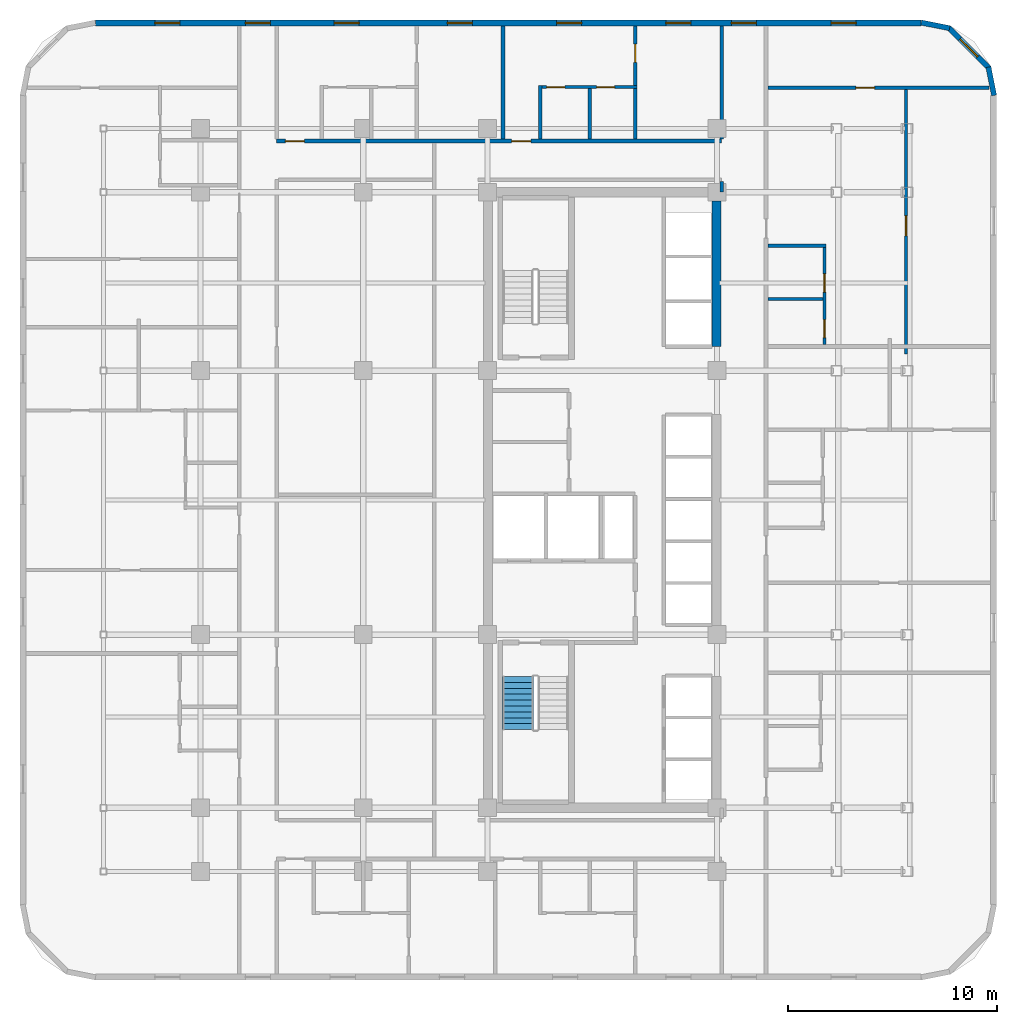
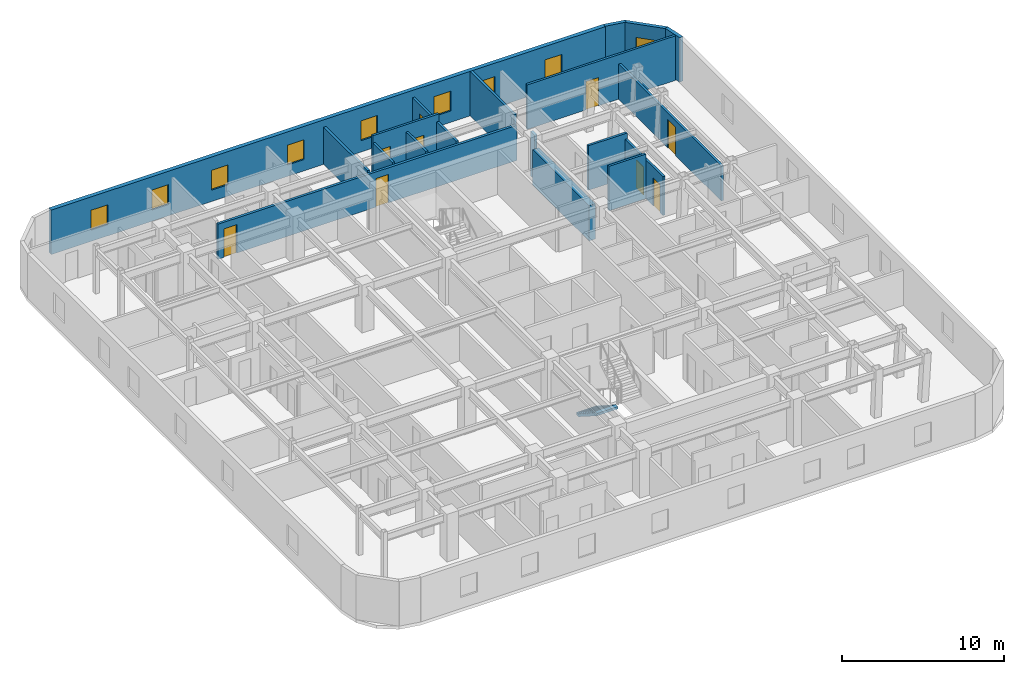
# One storey, part 10 of 12: 18 walls, 9 doors, 9 windows, 1 stair flight, 18 openings, 1 element without a shape of its own.
"""IFC4 building model written with IfcOpenShell, lengths in metres."""

from ifc_helpers import new_model, si_unit, direction, frame, frame_2d, origin, place, context, subcontext, project, spatial, polyline, rectangle, outline, extrude, material, layer, layer_set, type_object, element, fill, aggregate, save


model = new_model("IFC4")

# Units and contexts
model_context = context("Model", 3, precision=1e-05, world=origin(), true_north=direction((0.0, 1.0)))
body_context = subcontext(model_context, "Body", "Model", "MODEL_VIEW")
ifc_project = project(units=[si_unit("LENGTHUNIT", "METRE"), si_unit("AREAUNIT", "SQUARE_METRE"), si_unit("VOLUMEUNIT", "CUBIC_METRE"), si_unit("PLANEANGLEUNIT", "RADIAN"), si_unit("MASSUNIT", "GRAM", prefix="KILO")], contexts=[model_context])

# Site, building, storey
site_placement = place(None, origin())
site = spatial("IfcSite", under=ifc_project, at=site_placement, CompositionType="ELEMENT")
building_placement = place(site_placement, origin())
building = spatial("IfcBuilding", under=site, at=building_placement, Name="Ochreholt Gables", CompositionType="ELEMENT")
storey_placement = place(building_placement, frame((0.0, 0.0, 27.60009765625)))
storey = spatial("IfcBuildingStorey", under=building, at=storey_placement, Name="L06", CompositionType="ELEMENT", Elevation=27.60009765625)

# Wall
ifc_material_1 = material(Name="Concrete 60 MPa", Category="concrete")
ifc_layer_1 = layer(ifc_material_1, 0.449951171875, Name="Concrete 60 MPa")
ifc_layer_set_1 = layer_set([ifc_layer_1], Name="Concrete 60 MPa")
wall_type_1 = type_object("IfcWallType", Name="WALL-CSW-450", PredefinedType="SHEAR", material=ifc_layer_set_1)
wall_1_placement = place(storey_placement, frame((35.175048828125, 31.35009765625, 0.0), z_axis=(0.0, 0.0, 1.0), x_axis=(0.0, 1.0, 0.0)))
element("IfcWall", 1, at=wall_1_placement, inside=storey, type_object=wall_type_1, Name="L06 Core North-East Shear Wall", PredefinedType="SHEAR", context=body_context, shape_type="SweptSolid", body=[
    extrude(rectangle(XDim=6.974853515625, YDim=0.449951171875, at=frame_2d((3.4873046875, 0.0))), origin(), (0.0, 0.0, 1.0), 2.6669921875),
])

# Wall, openings, windows
ifc_material_2 = material(Name="Precast concrete 40 MPa", Category="concrete")
ifc_layer_2 = layer(ifc_material_2, 0.2900390625, Name="Precast concrete 40 MPa")
ifc_layer_set_2 = layer_set([ifc_layer_2], Name="Precast concrete 40 MPa")
wall_type_2 = type_object("IfcWallType", Name="WALL-EXT-290", PredefinedType="SOLIDWALL", material=ifc_layer_set_2)
wall_2_placement = place(storey_placement, frame((44.97998046875, 46.85498046875, 0.0), z_axis=(0.0, 0.0, 1.0), x_axis=(-1.0, 0.0, 0.0)))
wall_2 = element("IfcWall", 2, at=wall_2_placement, inside=storey, type_object=wall_type_2, Name="L06 North Exterior Wall", PredefinedType="SOLIDWALL", context=body_context, shape_type="SweptSolid", body=[
    extrude(rectangle(XDim=39.56005859375, YDim=0.2900390625, at=frame_2d((19.780029296875, 0.0))), origin(), (0.0, 0.0, 1.0), 3.35986328125),
])
opening_1_placement = place(wall_2_placement, frame((35.52001953125, 0.0, 0.85009765625)))
opening_1 = element("IfcOpeningElement", 3, at=opening_1_placement, cuts=wall_2, Name="Opening WN-3", PredefinedType="OPENING", context=body_context, shape_type="SweptSolid", body=[
    extrude(rectangle(XDim=1.199951171875, YDim=1.5, at=frame_2d((0.60009765625, 0.75))), frame((0.0, 0.155029296875, 0.0), z_axis=(0.0, -1.0, 0.0), x_axis=(1.0, 0.0, 0.0)), (0.0, 0.0, 1.0), 0.31005859375),
])
opening_2_placement = place(wall_2_placement, frame((31.179931640625, 0.0, 0.85009765625)))
opening_2 = element("IfcOpeningElement", 4, at=opening_2_placement, cuts=wall_2, Name="Opening WN-3", PredefinedType="OPENING", context=body_context, shape_type="SweptSolid", body=[
    extrude(rectangle(XDim=1.199951171875, YDim=1.5, at=frame_2d((0.60009765625, 0.75))), frame((0.0, 0.155029296875, 0.0), z_axis=(0.0, -1.0, 0.0), x_axis=(1.0, 0.0, 0.0)), (0.0, 0.0, 1.0), 0.31005859375),
])
opening_3_placement = place(wall_2_placement, frame((26.92529296875, 0.0, 0.85009765625)))
opening_3 = element("IfcOpeningElement", 5, at=opening_3_placement, cuts=wall_2, Name="Opening WN-3", PredefinedType="OPENING", context=body_context, shape_type="SweptSolid", body=[
    extrude(rectangle(XDim=1.199951171875, YDim=1.5, at=frame_2d((0.60009765625, 0.75))), frame((0.0, 0.155029296875, 0.0), z_axis=(0.0, -1.0, 0.0), x_axis=(1.0, 0.0, 0.0)), (0.0, 0.0, 1.0), 0.31005859375),
])
opening_4_placement = place(wall_2_placement, frame((21.50048828125, 0.0, 0.85009765625)))
opening_4 = element("IfcOpeningElement", 6, at=opening_4_placement, cuts=wall_2, Name="Opening WN-3", PredefinedType="OPENING", context=body_context, shape_type="SweptSolid", body=[
    extrude(rectangle(XDim=1.199951171875, YDim=1.5, at=frame_2d((0.60009765625, 0.75))), frame((0.0, 0.155029296875, 0.0), z_axis=(0.0, -1.0, 0.0), x_axis=(1.0, 0.0, 0.0)), (0.0, 0.0, 1.0), 0.31005859375),
])
opening_5_placement = place(wall_2_placement, frame((16.26513671875, 0.0, 0.85009765625)))
opening_5 = element("IfcOpeningElement", 7, at=opening_5_placement, cuts=wall_2, Name="Opening WN-3", PredefinedType="OPENING", context=body_context, shape_type="SweptSolid", body=[
    extrude(rectangle(XDim=1.199951171875, YDim=1.5, at=frame_2d((0.60009765625, 0.75))), frame((0.0, 0.155029296875, 0.0), z_axis=(0.0, -1.0, 0.0), x_axis=(1.0, 0.0, 0.0)), (0.0, 0.0, 1.0), 0.31005859375),
])
opening_6_placement = place(wall_2_placement, frame((11.030029296875, 0.0, 0.85009765625)))
opening_6 = element("IfcOpeningElement", 8, at=opening_6_placement, cuts=wall_2, Name="Opening WN-3", PredefinedType="OPENING", context=body_context, shape_type="SweptSolid", body=[
    extrude(rectangle(XDim=1.199951171875, YDim=1.5, at=frame_2d((0.60009765625, 0.75))), frame((0.0, 0.155029296875, 0.0), z_axis=(0.0, -1.0, 0.0), x_axis=(1.0, 0.0, 0.0)), (0.0, 0.0, 1.0), 0.31005859375),
])
opening_7_placement = place(wall_2_placement, frame((7.89501953125, 0.0, 0.85009765625)))
opening_7 = element("IfcOpeningElement", 9, at=opening_7_placement, cuts=wall_2, Name="Opening WN-3", PredefinedType="OPENING", context=body_context, shape_type="SweptSolid", body=[
    extrude(rectangle(XDim=1.199951171875, YDim=1.5, at=frame_2d((0.60009765625, 0.75))), frame((0.0, 0.155029296875, 0.0), z_axis=(0.0, -1.0, 0.0), x_axis=(1.0, 0.0, 0.0)), (0.0, 0.0, 1.0), 0.31005859375),
])
opening_8_placement = place(wall_2_placement, frame((3.114990234375, 0.0, 0.85009765625)))
opening_8 = element("IfcOpeningElement", 10, at=opening_8_placement, cuts=wall_2, Name="Opening WN-3", PredefinedType="OPENING", context=body_context, shape_type="SweptSolid", body=[
    extrude(rectangle(XDim=1.199951171875, YDim=1.5, at=frame_2d((0.60009765625, 0.75))), frame((0.0, 0.155029296875, 0.0), z_axis=(0.0, -1.0, 0.0), x_axis=(1.0, 0.0, 0.0)), (0.0, 0.0, 1.0), 0.31005859375),
])
ifc_material_3 = material(Name="Triple-Glazed Thermally Broken Aluminium Window", Category="aluminium")
window_type = type_object("IfcWindowType", Name="WIN-RES-1200", PartitioningType="SINGLE_PANEL", PredefinedType="WINDOW", material=ifc_material_3)
window_1_placement = place(opening_1_placement, origin())
window_1 = element("IfcWindow", 11, at=window_1_placement, inside=storey, type_object=window_type, Name="L06 Window W-EXT-N-L06-1", OverallHeight=1.5, OverallWidth=1.199951171875, PartitioningType="SINGLE_PANEL", PredefinedType="WINDOW", context=body_context, shape_type="SweptSolid", body=[
    extrude(rectangle(XDim=1.199951171875, YDim=1.5, at=frame_2d((0.60009765625, 0.75))), frame((0.0, 0.030029296875, 0.0), z_axis=(0.0, -1.0, 0.0), x_axis=(1.0, 0.0, 0.0)), (0.0, 0.0, 1.0), 0.06005859375),
])
fill(opening_1, window_1)
window_2_placement = place(opening_2_placement, origin())
window_2 = element("IfcWindow", 12, at=window_2_placement, inside=storey, type_object=window_type, Name="L06 Window W-EXT-N-L06-2", OverallHeight=1.5, OverallWidth=1.199951171875, PartitioningType="SINGLE_PANEL", PredefinedType="WINDOW", context=body_context, shape_type="SweptSolid", body=[
    extrude(rectangle(XDim=1.199951171875, YDim=1.5, at=frame_2d((0.60009765625, 0.75))), frame((0.0, 0.030029296875, 0.0), z_axis=(0.0, -1.0, 0.0), x_axis=(1.0, 0.0, 0.0)), (0.0, 0.0, 1.0), 0.06005859375),
])
fill(opening_2, window_2)
window_3_placement = place(opening_3_placement, origin())
window_3 = element("IfcWindow", 13, at=window_3_placement, inside=storey, type_object=window_type, Name="L06 Window W-EXT-N-L06-3", OverallHeight=1.5, OverallWidth=1.199951171875, PartitioningType="SINGLE_PANEL", PredefinedType="WINDOW", context=body_context, shape_type="SweptSolid", body=[
    extrude(rectangle(XDim=1.199951171875, YDim=1.5, at=frame_2d((0.60009765625, 0.75))), frame((0.0, 0.030029296875, 0.0), z_axis=(0.0, -1.0, 0.0), x_axis=(1.0, 0.0, 0.0)), (0.0, 0.0, 1.0), 0.06005859375),
])
fill(opening_3, window_3)
window_4_placement = place(opening_4_placement, origin())
window_4 = element("IfcWindow", 14, at=window_4_placement, inside=storey, type_object=window_type, Name="L06 Window W-EXT-N-L06-4", OverallHeight=1.5, OverallWidth=1.199951171875, PartitioningType="SINGLE_PANEL", PredefinedType="WINDOW", context=body_context, shape_type="SweptSolid", body=[
    extrude(rectangle(XDim=1.199951171875, YDim=1.5, at=frame_2d((0.60009765625, 0.75))), frame((0.0, 0.030029296875, 0.0), z_axis=(0.0, -1.0, 0.0), x_axis=(1.0, 0.0, 0.0)), (0.0, 0.0, 1.0), 0.06005859375),
])
fill(opening_4, window_4)
window_5_placement = place(opening_5_placement, origin())
window_5 = element("IfcWindow", 15, at=window_5_placement, inside=storey, type_object=window_type, Name="L06 Window W-EXT-N-L06-5", OverallHeight=1.5, OverallWidth=1.199951171875, PartitioningType="SINGLE_PANEL", PredefinedType="WINDOW", context=body_context, shape_type="SweptSolid", body=[
    extrude(rectangle(XDim=1.199951171875, YDim=1.5, at=frame_2d((0.60009765625, 0.75))), frame((0.0, 0.030029296875, 0.0), z_axis=(0.0, -1.0, 0.0), x_axis=(1.0, 0.0, 0.0)), (0.0, 0.0, 1.0), 0.06005859375),
])
fill(opening_5, window_5)
window_6_placement = place(opening_6_placement, origin())
window_6 = element("IfcWindow", 16, at=window_6_placement, inside=storey, type_object=window_type, Name="L06 Window W-EXT-N-L06-6", OverallHeight=1.5, OverallWidth=1.199951171875, PartitioningType="SINGLE_PANEL", PredefinedType="WINDOW", context=body_context, shape_type="SweptSolid", body=[
    extrude(rectangle(XDim=1.199951171875, YDim=1.5, at=frame_2d((0.60009765625, 0.75))), frame((0.0, 0.030029296875, 0.0), z_axis=(0.0, -1.0, 0.0), x_axis=(1.0, 0.0, 0.0)), (0.0, 0.0, 1.0), 0.06005859375),
])
fill(opening_6, window_6)
window_7_placement = place(opening_7_placement, origin())
window_7 = element("IfcWindow", 17, at=window_7_placement, inside=storey, type_object=window_type, Name="L06 Window W-EXT-N-L06-7", OverallHeight=1.5, OverallWidth=1.199951171875, PartitioningType="SINGLE_PANEL", PredefinedType="WINDOW", context=body_context, shape_type="SweptSolid", body=[
    extrude(rectangle(XDim=1.199951171875, YDim=1.5, at=frame_2d((0.60009765625, 0.75))), frame((0.0, 0.030029296875, 0.0), z_axis=(0.0, -1.0, 0.0), x_axis=(1.0, 0.0, 0.0)), (0.0, 0.0, 1.0), 0.06005859375),
])
fill(opening_7, window_7)
window_8_placement = place(opening_8_placement, origin())
window_8 = element("IfcWindow", 18, at=window_8_placement, inside=storey, type_object=window_type, Name="L06 Window W-EXT-N-L06-8", OverallHeight=1.5, OverallWidth=1.199951171875, PartitioningType="SINGLE_PANEL", PredefinedType="WINDOW", context=body_context, shape_type="SweptSolid", body=[
    extrude(rectangle(XDim=1.199951171875, YDim=1.5, at=frame_2d((0.60009765625, 0.75))), frame((0.0, 0.030029296875, 0.0), z_axis=(0.0, -1.0, 0.0), x_axis=(1.0, 0.0, 0.0)), (0.0, 0.0, 1.0), 0.06005859375),
])
fill(opening_8, window_8)

# Wall
ifc_layer_3 = layer(ifc_material_2, 0.25, Name="Precast concrete 40 MPa")
ifc_layer_set_3 = layer_set([ifc_layer_3], Name="Precast concrete 40 MPa")
wall_type_3 = type_object("IfcWallType", Name="WALL-EXT-CNR", PredefinedType="SOLIDWALL", material=ifc_layer_set_3)
wall_3_placement = place(storey_placement, frame((48.475830078125, 43.383544921875, 0.0), z_axis=(0.0, 0.0, 1.0), x_axis=(-0.19496651342, 0.980809899341, 0.0)))
element("IfcWall", 19, at=wall_3_placement, inside=storey, type_object=wall_type_3, Name="L06 Rounded Corner Wall NE-1", PredefinedType="SOLIDWALL", context=body_context, shape_type="SweptSolid", body=[
    extrude(rectangle(XDim=1.388671875, YDim=0.25, at=frame_2d((0.6943359375, 0.0))), origin(), (0.0, 0.0, 1.0), 3.35986328125),
])

# Wall, opening, window
wall_4_placement = place(storey_placement, frame((48.23193359375, 44.695068359375, 0.0), z_axis=(0.0, 0.0, 1.0), x_axis=(-0.707106781187, 0.707106781187, 0.0)))
wall_4 = element("IfcWall", 20, at=wall_4_placement, inside=storey, type_object=wall_type_3, Name="L06 Rounded Corner Wall NE-2", PredefinedType="SOLIDWALL", context=body_context, shape_type="SweptSolid", body=[
    extrude(rectangle(XDim=2.7392578125, YDim=0.25, at=frame_2d((1.36962890625, 0.0))), origin(), (0.0, 0.0, 1.0), 3.35986328125),
])
opening_9_placement = place(wall_4_placement, frame((0.769775390625, 0.0, 0.85009765625)))
opening_9 = element("IfcOpeningElement", 21, at=opening_9_placement, cuts=wall_4, Name="Opening WN-3", PredefinedType="OPENING", context=body_context, shape_type="SweptSolid", body=[
    extrude(rectangle(XDim=1.199951171875, YDim=1.5, at=frame_2d((0.60009765625, 0.75))), frame((0.0, 0.135009765625, 0.0), z_axis=(0.0, -1.0, 0.0), x_axis=(1.0, 0.0, 0.0)), (0.0, 0.0, 1.0), 0.27001953125),
])
window_9_placement = place(opening_9_placement, origin())
window_9 = element("IfcWindow", 22, at=window_9_placement, inside=storey, type_object=window_type, Name="L06 Corner Bedroom Window NE", OverallHeight=1.5, OverallWidth=1.199951171875, PartitioningType="SINGLE_PANEL", PredefinedType="WINDOW", context=body_context, shape_type="SweptSolid", body=[
    extrude(rectangle(XDim=1.199951171875, YDim=1.5, at=frame_2d((0.60009765625, 0.75))), frame((0.0, 0.030029296875, 0.0), z_axis=(0.0, -1.0, 0.0), x_axis=(1.0, 0.0, 0.0)), (0.0, 0.0, 1.0), 0.06005859375),
])
fill(opening_9, window_9)

# Wall
wall_5_placement = place(storey_placement, frame((46.345458984375, 46.60498046875, 0.0), z_axis=(0.0, 0.0, 1.0), x_axis=(-0.980809899341, 0.19496651342, 0.0)))
element("IfcWall", 23, at=wall_5_placement, inside=storey, type_object=wall_type_3, Name="L06 Rounded Corner Wall NE-3", PredefinedType="SOLIDWALL", context=body_context, shape_type="SweptSolid", body=[
    extrude(rectangle(XDim=1.388671875, YDim=0.25, at=frame_2d((0.6943359375, 0.0))), origin(), (0.0, 0.0, 1.0), 3.35986328125),
])

# Wall, openings, doors
ifc_material_4 = material(Name="Fire-Rated Gypsum Acoustic Partition", Category="gypsum")
ifc_layer_4 = layer(ifc_material_4, 0.179931640625, Name="Fire-Rated Gypsum Acoustic Partition")
ifc_layer_set_4 = layer_set([ifc_layer_4], Name="Fire-Rated Gypsum Acoustic Partition")
wall_type_4 = type_object("IfcWallType", Name="WALL-INT-CR180", PredefinedType="STANDARD", material=ifc_layer_set_4)
wall_6_placement = place(storey_placement, frame((14.10009765625, 41.199951171875, 0.0), z_axis=(0.0, 0.0, 1.0), x_axis=(1.0, 0.0, 0.0)))
wall_6 = element("IfcWall", 24, at=wall_6_placement, inside=storey, type_object=wall_type_4, Name="L06 Interior Wall WI-C1N-L06", PredefinedType="STANDARD", context=body_context, shape_type="SweptSolid", body=[
    extrude(rectangle(XDim=21.31982421875, YDim=0.179931640625, at=frame_2d((10.659912109375, 0.0))), origin(), (0.0, 0.0, 1.0), 2.64892578125),
])
opening_10_placement = place(wall_6_placement, frame((0.409912109375, 0.0, 0.0)))
opening_10 = element("IfcOpeningElement", 25, at=opening_10_placement, cuts=wall_6, Name="Opening D-UN1", PredefinedType="OPENING", context=body_context, shape_type="SweptSolid", body=[
    extrude(rectangle(XDim=0.919921875, YDim=2.14990234375, at=frame_2d((0.4599609375, 1.074951171875))), frame((0.0, 0.099853515625, 0.0), z_axis=(0.0, -1.0, 0.0), x_axis=(1.0, 0.0, 0.0)), (0.0, 0.0, 1.0), 0.199951171875),
])
opening_11_placement = place(wall_6_placement, frame((11.259521484375, 0.0, 0.0)))
opening_11 = element("IfcOpeningElement", 26, at=opening_11_placement, cuts=wall_6, Name="Opening D-UN1", PredefinedType="OPENING", context=body_context, shape_type="SweptSolid", body=[
    extrude(rectangle(XDim=0.919921875, YDim=2.14990234375, at=frame_2d((0.4599609375, 1.074951171875))), frame((0.0, 0.099853515625, 0.0), z_axis=(0.0, -1.0, 0.0), x_axis=(1.0, 0.0, 0.0)), (0.0, 0.0, 1.0), 0.199951171875),
])
ifc_material_5 = material(Name="Engineered Oak Timber", Category="wood")
door_type_1 = type_object("IfcDoorType", Name="DR-INT-UNT920", OperationType="NOTDEFINED", PredefinedType="DOOR", material=ifc_material_5)
door_1_placement = place(opening_10_placement, origin())
door_1 = element("IfcDoor", 27, at=door_1_placement, inside=storey, type_object=door_type_1, Name="L06 Door D-U-L06N1-ENT", OperationType="SINGLE_SWING_LEFT", OverallHeight=2.14990234375, OverallWidth=0.919921875, PredefinedType="DOOR", context=body_context, shape_type="SweptSolid", body=[
    extrude(rectangle(XDim=0.919921875, YDim=2.14990234375, at=frame_2d((0.4599609375, 1.074951171875))), frame((0.0, 0.02490234375, 0.0), z_axis=(0.0, -1.0, 0.0), x_axis=(1.0, 0.0, 0.0)), (0.0, 0.0, 1.0), 0.050048828125),
])
fill(opening_10, door_1)
door_2_placement = place(opening_11_placement, origin())
door_2 = element("IfcDoor", 28, at=door_2_placement, inside=storey, type_object=door_type_1, Name="L06 Door D-U-L06N2-ENT", OperationType="SINGLE_SWING_LEFT", OverallHeight=2.14990234375, OverallWidth=0.919921875, PredefinedType="DOOR", context=body_context, shape_type="SweptSolid", body=[
    extrude(rectangle(XDim=0.919921875, YDim=2.14990234375, at=frame_2d((0.4599609375, 1.074951171875))), frame((0.0, 0.02490234375, 0.0), z_axis=(0.0, -1.0, 0.0), x_axis=(1.0, 0.0, 0.0)), (0.0, 0.0, 1.0), 0.050048828125),
])
fill(opening_11, door_2)

# Walls
wall_7_placement = place(storey_placement, frame((35.419921875, 38.75, 0.0), z_axis=(0.0, 0.0, 1.0), x_axis=(0.0, 1.0, 0.0)))
element("IfcWall", 29, at=wall_7_placement, inside=storey, type_object=wall_type_4, Name="L06 Interior Wall WI-C1ENW2-L06", PredefinedType="STANDARD", context=body_context, shape_type="SweptSolid", body=[
    extrude(rectangle(XDim=0.510009765625, YDim=0.179931640625, at=frame_2d((0.2548828125, 0.0))), origin(), (0.0, 0.0, 1.0), 3.35986328125),
])
ifc_material_6 = material(Name="Double-Stud Acoustic Demising Wall", Category="gypsum")
ifc_layer_5 = layer(ifc_material_6, 0.179931640625, Name="Double-Stud Acoustic Demising Wall")
ifc_layer_set_5 = layer_set([ifc_layer_5], Name="Double-Stud Acoustic Demising Wall")
wall_type_5 = type_object("IfcWallType", Name="WALL-INT-DM180", PredefinedType="PARTITIONING", material=ifc_layer_set_5)
wall_8_placement = place(storey_placement, frame((35.419921875, 41.2900390625, 0.0), z_axis=(0.0, 0.0, 1.0), x_axis=(0.0, 1.0, 0.0)))
element("IfcWall", 30, at=wall_8_placement, inside=storey, type_object=wall_type_5, Name="L06 Interior Wall WI-C1ENW-L06", PredefinedType="PARTITIONING", context=body_context, shape_type="SweptSolid", body=[
    extrude(rectangle(XDim=5.419921875, YDim=0.179931640625, at=frame_2d((2.7099609375, 0.0))), origin(), (0.0, 0.0, 1.0), 3.35986328125),
])
wall_9_placement = place(storey_placement, frame((24.94970703125, 41.2900390625, 0.0), z_axis=(0.0, 0.0, 1.0), x_axis=(0.0, 1.0, 0.0)))
element("IfcWall", 31, at=wall_9_placement, inside=storey, type_object=wall_type_5, Name="L06 Interior Wall WI-UDN-L06", PredefinedType="PARTITIONING", context=body_context, shape_type="SweptSolid", body=[
    extrude(rectangle(XDim=5.419921875, YDim=0.179931640625, at=frame_2d((2.7099609375, 0.0))), origin(), (0.0, 0.0, 1.0), 2.808837890625),
])
ifc_material_7 = material(Name="Moisture-Resistant Plumbing Chase Wall", Category="gypsum")
ifc_layer_6 = layer(ifc_material_7, 0.159912109375, Name="Moisture-Resistant Plumbing Chase Wall")
ifc_layer_set_6 = layer_set([ifc_layer_6], Name="Moisture-Resistant Plumbing Chase Wall")
wall_type_6 = type_object("IfcWallType", Name="WALL-INT-PL160", PredefinedType="PLUMBINGWALL", material=ifc_layer_set_6)
wall_10_placement = place(storey_placement, frame((37.639892578125, 36.185546875, 0.0), z_axis=(0.0, 0.0, 1.0), x_axis=(1.0, 0.0, 0.0)))
element("IfcWall", 32, at=wall_10_placement, inside=storey, type_object=wall_type_6, Name="L06 Interior Wall WU-L06E3-FYN", PredefinedType="PLUMBINGWALL", context=body_context, shape_type="SweptSolid", body=[
    extrude(rectangle(XDim=2.7880859375, YDim=0.159912109375, at=frame_2d((1.39404296875, 0.0))), origin(), (0.0, 0.0, 1.0), 3.35986328125),
])

# Wall, openings, doors
wall_11_placement = place(storey_placement, frame((40.347900390625, 31.449951171875, 0.0), z_axis=(0.0, 0.0, 1.0), x_axis=(0.0, 1.0, 0.0)))
wall_11 = element("IfcWall", 33, at=wall_11_placement, inside=storey, type_object=wall_type_6, Name="L06 Interior Wall WU-L06E3-WX", PredefinedType="PLUMBINGWALL", context=body_context, shape_type="SweptSolid", body=[
    extrude(rectangle(XDim=4.825439453125, YDim=0.159912109375, at=frame_2d((2.41259765625, 0.0))), origin(), (0.0, 0.0, 1.0), 2.931884765625),
])
opening_12_placement = place(wall_11_placement, frame((0.330078125, 0.0, 0.0)))
opening_12 = element("IfcOpeningElement", 34, at=opening_12_placement, cuts=wall_11, Name="Opening D-BT1", PredefinedType="OPENING", context=body_context, shape_type="SweptSolid", body=[
    extrude(rectangle(XDim=0.860107421875, YDim=2.1201171875, at=frame_2d((0.43017578125, 1.06005859375))), frame((0.0, 0.08984375, 0.0), z_axis=(0.0, -1.0, 0.0), x_axis=(1.0, 0.0, 0.0)), (0.0, 0.0, 1.0), 0.179931640625),
])
opening_13_placement = place(wall_11_placement, frame((2.50830078125, 0.0, 0.0)))
opening_13 = element("IfcOpeningElement", 35, at=opening_13_placement, cuts=wall_11, Name="Opening D-GN2", PredefinedType="OPENING", context=body_context, shape_type="SweptSolid", body=[
    extrude(rectangle(XDim=0.8798828125, YDim=2.1201171875, at=frame_2d((0.43994140625, 1.06005859375))), frame((0.0, 0.08984375, 0.0), z_axis=(0.0, -1.0, 0.0), x_axis=(1.0, 0.0, 0.0)), (0.0, 0.0, 1.0), 0.179931640625),
])
door_type_2 = type_object("IfcDoorType", Name="DR-INT-BTH860", OperationType="NOTDEFINED", PredefinedType="DOOR", material=ifc_material_5)
door_3_placement = place(opening_12_placement, origin())
door_3 = element("IfcDoor", 36, at=door_3_placement, inside=storey, type_object=door_type_2, Name="L06 Door D-U-L06E3-BTH", OperationType="SINGLE_SWING_LEFT", OverallHeight=2.1201171875, OverallWidth=0.860107421875, PredefinedType="DOOR", context=body_context, shape_type="SweptSolid", body=[
    extrude(rectangle(XDim=0.860107421875, YDim=2.1201171875, at=frame_2d((0.43017578125, 1.06005859375))), frame((0.0, 0.02490234375, 0.0), z_axis=(0.0, -1.0, 0.0), x_axis=(1.0, 0.0, 0.0)), (0.0, 0.0, 1.0), 0.050048828125),
])
fill(opening_12, door_3)
door_type_3 = type_object("IfcDoorType", Name="DR-INT-GEN880", OperationType="NOTDEFINED", PredefinedType="DOOR", material=ifc_material_5)
door_4_placement = place(opening_13_placement, origin())
door_4 = element("IfcDoor", 37, at=door_4_placement, inside=storey, type_object=door_type_3, Name="L06 Door D-U-L06E3-KIT", OperationType="SINGLE_SWING_RIGHT", OverallHeight=2.1201171875, OverallWidth=0.8798828125, PredefinedType="DOOR", context=body_context, shape_type="SweptSolid", body=[
    extrude(rectangle(XDim=0.8798828125, YDim=2.1201171875, at=frame_2d((0.43994140625, 1.06005859375))), frame((0.0, 0.02490234375, 0.0), z_axis=(0.0, -1.0, 0.0), x_axis=(1.0, 0.0, 0.0)), (0.0, 0.0, 1.0), 0.050048828125),
])
fill(opening_13, door_4)

# Wall
wall_12_placement = place(storey_placement, frame((37.639892578125, 33.62841796875, 0.0), z_axis=(0.0, 0.0, 1.0), x_axis=(1.0, 0.0, 0.0)))
element("IfcWall", 38, at=wall_12_placement, inside=storey, type_object=wall_type_6, Name="L06 Interior Wall WU-L06E3-WK", PredefinedType="PLUMBINGWALL", context=body_context, shape_type="SweptSolid", body=[
    extrude(rectangle(XDim=2.628173828125, YDim=0.159912109375, at=frame_2d((1.31396484375, 0.0))), origin(), (0.0, 0.0, 1.0), 3.35986328125),
])

# Wall, openings, doors
wall_13_placement = place(storey_placement, frame((26.64990234375, 43.78759765625, 0.0), z_axis=(0.0, 0.0, 1.0), x_axis=(1.0, 0.0, 0.0)))
wall_13 = element("IfcWall", 39, at=wall_13_placement, inside=storey, type_object=wall_type_6, Name="L06 Interior Wall WU-L06N2-WY", PredefinedType="PLUMBINGWALL", context=body_context, shape_type="SweptSolid", body=[
    extrude(rectangle(XDim=4.710205078125, YDim=0.159912109375, at=frame_2d((2.35498046875, 0.0))), origin(), (0.0, 0.0, 1.0), 3.35986328125),
])
opening_14_placement = place(wall_13_placement, frame((0.3798828125, 0.0, 0.0)))
opening_14 = element("IfcOpeningElement", 40, at=opening_14_placement, cuts=wall_13, Name="Opening D-GN2", PredefinedType="OPENING", context=body_context, shape_type="SweptSolid", body=[
    extrude(rectangle(XDim=0.8798828125, YDim=2.1201171875, at=frame_2d((0.43994140625, 1.06005859375))), frame((0.0, 0.08984375, 0.0), z_axis=(0.0, -1.0, 0.0), x_axis=(1.0, 0.0, 0.0)), (0.0, 0.0, 1.0), 0.179931640625),
])
opening_15_placement = place(wall_13_placement, frame((2.785888671875, 0.0, 0.0)))
opening_15 = element("IfcOpeningElement", 41, at=opening_15_placement, cuts=wall_13, Name="Opening D-BT1", PredefinedType="OPENING", context=body_context, shape_type="SweptSolid", body=[
    extrude(rectangle(XDim=0.860107421875, YDim=2.1201171875, at=frame_2d((0.43017578125, 1.06005859375))), frame((0.0, 0.08984375, 0.0), z_axis=(0.0, -1.0, 0.0), x_axis=(1.0, 0.0, 0.0)), (0.0, 0.0, 1.0), 0.179931640625),
])
door_5_placement = place(opening_15_placement, origin())
door_5 = element("IfcDoor", 42, at=door_5_placement, inside=storey, type_object=door_type_2, Name="L06 Door D-U-L06N2-BTH", OperationType="SINGLE_SWING_LEFT", OverallHeight=2.1201171875, OverallWidth=0.860107421875, PredefinedType="DOOR", context=body_context, shape_type="SweptSolid", body=[
    extrude(rectangle(XDim=0.860107421875, YDim=2.1201171875, at=frame_2d((0.43017578125, 1.06005859375))), frame((0.0, 0.02490234375, 0.0), z_axis=(0.0, -1.0, 0.0), x_axis=(1.0, 0.0, 0.0)), (0.0, 0.0, 1.0), 0.050048828125),
])
fill(opening_15, door_5)
door_6_placement = place(opening_14_placement, origin())
door_6 = element("IfcDoor", 43, at=door_6_placement, inside=storey, type_object=door_type_3, Name="L06 Door D-U-L06N2-KIT", OperationType="SINGLE_SWING_RIGHT", OverallHeight=2.1201171875, OverallWidth=0.8798828125, PredefinedType="DOOR", context=body_context, shape_type="SweptSolid", body=[
    extrude(rectangle(XDim=0.8798828125, YDim=2.1201171875, at=frame_2d((0.43994140625, 1.06005859375))), frame((0.0, 0.02490234375, 0.0), z_axis=(0.0, -1.0, 0.0), x_axis=(1.0, 0.0, 0.0)), (0.0, 0.0, 1.0), 0.050048828125),
])
fill(opening_14, door_6)

# Walls
wall_14_placement = place(storey_placement, frame((26.72998046875, 41.2900390625, 0.0), z_axis=(0.0, 0.0, 1.0), x_axis=(0.0, 1.0, 0.0)))
element("IfcWall", 44, at=wall_14_placement, inside=storey, type_object=wall_type_6, Name="L06 Interior Wall WU-L06N2-FY", PredefinedType="PLUMBINGWALL", context=body_context, shape_type="SweptSolid", body=[
    extrude(rectangle(XDim=2.577392578125, YDim=0.159912109375, at=frame_2d((1.28857421875, 0.0))), origin(), (0.0, 0.0, 1.0), 2.808837890625),
])
wall_15_placement = place(storey_placement, frame((29.095947265625, 41.2900390625, 0.0), z_axis=(0.0, 0.0, 1.0), x_axis=(0.0, 1.0, 0.0)))
element("IfcWall", 45, at=wall_15_placement, inside=storey, type_object=wall_type_6, Name="L06 Interior Wall WU-L06N2-WK", PredefinedType="PLUMBINGWALL", context=body_context, shape_type="SweptSolid", body=[
    extrude(rectangle(XDim=2.41748046875, YDim=0.159912109375, at=frame_2d((1.208740234375, 0.0))), origin(), (0.0, 0.0, 1.0), 2.808837890625),
])

# Wall, opening, door
ifc_material_8 = material(Name="Gypsum Acoustic Stud Partition", Category="gypsum")
ifc_layer_7 = layer(ifc_material_8, 0.159912109375, Name="Gypsum Acoustic Stud Partition")
ifc_layer_set_7 = layer_set([ifc_layer_7], Name="Gypsum Acoustic Stud Partition")
wall_type_7 = type_object("IfcWallType", Name="WALL-INT-PT160", PredefinedType="PARTITIONING", material=ifc_layer_set_7)
wall_16_placement = place(storey_placement, frame((37.639892578125, 43.760009765625, 0.0), z_axis=(0.0, 0.0, 1.0), x_axis=(1.0, 0.0, 0.0)))
wall_16 = element("IfcWall", 46, at=wall_16_placement, inside=storey, type_object=wall_type_7, Name="L06 Interior Wall WU-L06E3-MN", PredefinedType="PARTITIONING", context=body_context, shape_type="SweptSolid", body=[
    extrude(rectangle(XDim=10.597900390625, YDim=0.159912109375, at=frame_2d((5.298828125, 0.0))), origin(), (0.0, 0.0, 1.0), 3.35986328125),
])
opening_16_placement = place(wall_16_placement, frame((4.211181640625, 0.0, 0.0)))
opening_16 = element("IfcOpeningElement", 47, at=opening_16_placement, cuts=wall_16, Name="Opening D-BD1", PredefinedType="OPENING", context=body_context, shape_type="SweptSolid", body=[
    extrude(rectangle(XDim=0.89990234375, YDim=2.139892578125, at=frame_2d((0.449951171875, 1.06982421875))), frame((0.0, 0.08984375, 0.0), z_axis=(0.0, -1.0, 0.0), x_axis=(1.0, 0.0, 0.0)), (0.0, 0.0, 1.0), 0.179931640625),
])
door_type_4 = type_object("IfcDoorType", Name="DR-INT-BED900", OperationType="NOTDEFINED", PredefinedType="DOOR", material=ifc_material_5)
door_7_placement = place(opening_16_placement, origin())
door_7 = element("IfcDoor", 48, at=door_7_placement, inside=storey, type_object=door_type_4, Name="L06 Door D-U-L06E3-BD1", OperationType="SINGLE_SWING_LEFT", OverallHeight=2.139892578125, OverallWidth=0.89990234375, PredefinedType="DOOR", context=body_context, shape_type="SweptSolid", body=[
    extrude(rectangle(XDim=0.89990234375, YDim=2.139892578125, at=frame_2d((0.449951171875, 1.06982421875))), frame((0.0, 0.02490234375, 0.0), z_axis=(0.0, -1.0, 0.0), x_axis=(1.0, 0.0, 0.0)), (0.0, 0.0, 1.0), 0.050048828125),
])
fill(opening_16, door_7)

wall_17_placement = place(storey_placement, frame((44.254150390625, 31.0, 0.0), z_axis=(0.0, 0.0, 1.0), x_axis=(0.0, 1.0, 0.0)))
wall_17 = element("IfcWall", 49, at=wall_17_placement, inside=storey, type_object=wall_type_7, Name="L06 Interior Wall WU-L06E3-DNV", PredefinedType="PARTITIONING", context=body_context, shape_type="SweptSolid", body=[
    extrude(rectangle(XDim=12.840087890625, YDim=0.159912109375, at=frame_2d((6.419921875, 0.0))), origin(), (0.0, 0.0, 1.0), 2.64892578125),
])
opening_17_placement = place(wall_17_placement, frame((5.659912109375, 0.0, 0.0)))
opening_17 = element("IfcOpeningElement", 50, at=opening_17_placement, cuts=wall_17, Name="Opening D-GN1", PredefinedType="OPENING", context=body_context, shape_type="SweptSolid", body=[
    extrude(rectangle(XDim=0.949951171875, YDim=2.14990234375, at=frame_2d((0.47509765625, 1.074951171875))), frame((0.0, 0.08984375, 0.0), z_axis=(0.0, -1.0, 0.0), x_axis=(1.0, 0.0, 0.0)), (0.0, 0.0, 1.0), 0.179931640625),
])
door_type_5 = type_object("IfcDoorType", Name="DR-INT-GEN950", OperationType="NOTDEFINED", PredefinedType="DOOR", material=ifc_material_5)
door_8_placement = place(opening_17_placement, origin())
door_8 = element("IfcDoor", 51, at=door_8_placement, inside=storey, type_object=door_type_5, Name="L06 Door D-U-L06E3-DIN", OperationType="SINGLE_SWING_LEFT", OverallHeight=2.14990234375, OverallWidth=0.949951171875, PredefinedType="DOOR", context=body_context, shape_type="SweptSolid", body=[
    extrude(rectangle(XDim=0.949951171875, YDim=2.14990234375, at=frame_2d((0.47509765625, 1.074951171875))), frame((0.0, 0.02490234375, 0.0), z_axis=(0.0, -1.0, 0.0), x_axis=(1.0, 0.0, 0.0)), (0.0, 0.0, 1.0), 0.050048828125),
])
fill(opening_17, door_8)

wall_18_placement = place(storey_placement, frame((31.280029296875, 41.2900390625, 0.0), z_axis=(0.0, 0.0, 1.0), x_axis=(0.0, 1.0, 0.0)))
wall_18 = element("IfcWall", 52, at=wall_18_placement, inside=storey, type_object=wall_type_7, Name="L06 Interior Wall WU-L06N2-MNX", PredefinedType="PARTITIONING", context=body_context, shape_type="SweptSolid", body=[
    extrude(rectangle(XDim=5.419921875, YDim=0.159912109375, at=frame_2d((2.7099609375, 0.0))), origin(), (0.0, 0.0, 1.0), 2.808837890625),
])
opening_18_placement = place(wall_18_placement, frame((3.6787109375, 0.0, 0.0)))
opening_18 = element("IfcOpeningElement", 53, at=opening_18_placement, cuts=wall_18, Name="Opening D-BD2", PredefinedType="OPENING", context=body_context, shape_type="SweptSolid", body=[
    extrude(rectangle(XDim=0.8798828125, YDim=2.139892578125, at=frame_2d((0.43994140625, 1.06982421875))), frame((0.0, 0.08984375, 0.0), z_axis=(0.0, -1.0, 0.0), x_axis=(1.0, 0.0, 0.0)), (0.0, 0.0, 1.0), 0.179931640625),
])
door_type_6 = type_object("IfcDoorType", Name="DR-INT-BED880", OperationType="NOTDEFINED", PredefinedType="DOOR", material=ifc_material_5)
door_9_placement = place(opening_18_placement, origin())
door_9 = element("IfcDoor", 54, at=door_9_placement, inside=storey, type_object=door_type_6, Name="L06 Door D-U-L06N2-BD1", OperationType="SINGLE_SWING_RIGHT", OverallHeight=2.139892578125, OverallWidth=0.8798828125, PredefinedType="DOOR", context=body_context, shape_type="SweptSolid", body=[
    extrude(rectangle(XDim=0.8798828125, YDim=2.139892578125, at=frame_2d((0.43994140625, 1.06982421875))), frame((0.0, 0.02490234375, 0.0), z_axis=(0.0, -1.0, 0.0), x_axis=(1.0, 0.0, 0.0)), (0.0, 0.0, 1.0), 0.050048828125),
])
fill(opening_18, door_9)

# Stair, stair flight
ifc_material_9 = material(Name="Concrete 40 MPa", Category="concrete")
stair_type = type_object("IfcStairType", Name="STAIR-CORE-ST-1", PredefinedType="HALF_TURN_STAIR", material=ifc_material_9)
stair_placement = place(storey_placement, origin())
stair = element("IfcStair", 55, at=stair_placement, inside=storey, type_object=stair_type, Name="L06 Core Exit Stair 1", PredefinedType="HALF_TURN_STAIR")
stair_flight_type = type_object("IfcStairFlightType", Name="FLIGHT-ST-1480-1800", PredefinedType="STRAIGHT", material=ifc_material_9)
stair_flight_placement = place(storey_placement, frame((25.659912109375, 15.5400390625, 0.0), z_axis=(0.0, 0.0, 1.0), x_axis=(0.0, -1.0, 0.0)))
stair_flight = element("IfcStairFlight", 56, at=stair_flight_placement, type_object=stair_flight_type, Name="ST-1 flight 1", NumberOfRisers=10, NumberOfTreads=9, PredefinedType="STRAIGHT", RiserHeight=0.18, TreadLength=0.282, context=body_context, shape_type="SweptSolid", body=[
    extrude(outline(polyline([(0.0, 0.0), (0.0, 0.179931640625), (0.281982421875, 0.179931640625), (0.281982421875, 0.360107421875), (0.56396484375, 0.360107421875), (0.56396484375, 0.5400390625), (0.845947265625, 0.5400390625), (0.845947265625, 0.719970703125), (1.1279296875, 0.719970703125), (1.1279296875, 0.89990234375), (1.409912109375, 0.89990234375), (1.409912109375, 1.080078125), (1.69189453125, 1.080078125), (1.69189453125, 1.260009765625), (1.97412109375, 1.260009765625), (1.97412109375, 1.43994140625), (2.256103515625, 1.43994140625), (2.256103515625, 1.6201171875), (2.5380859375, 1.6201171875), (2.5380859375, 1.800048828125), (2.5380859375, 1.442138671875), (0.278564453125, 0.0), (0.0, 0.0)])), frame((0.0, 0.739990234375, 0.0), z_axis=(0.0, -1.0, 0.0), x_axis=(1.0, 0.0, 0.0)), (0.0, 0.0, 1.0), 1.47998046875),
])
aggregate(stair, [stair_flight])

save(model, "model.ifc")
